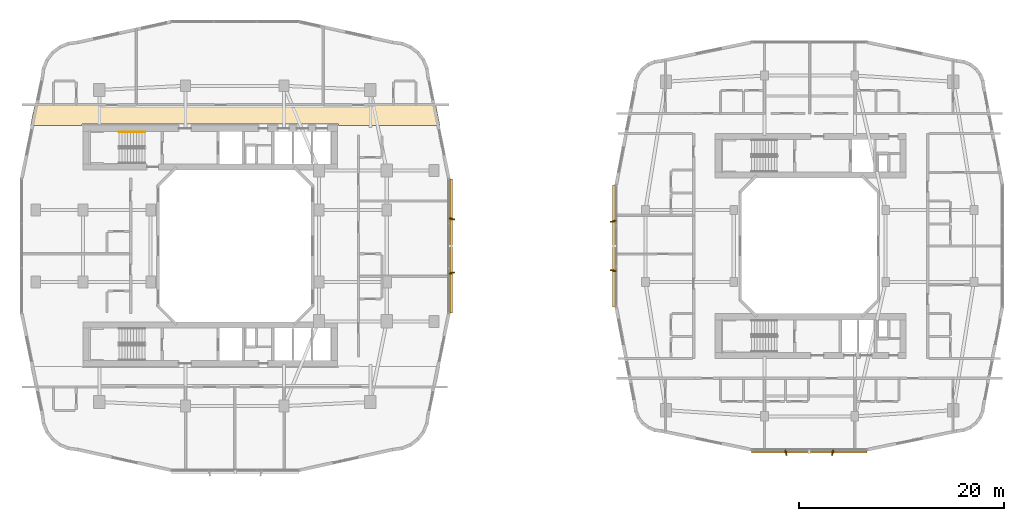
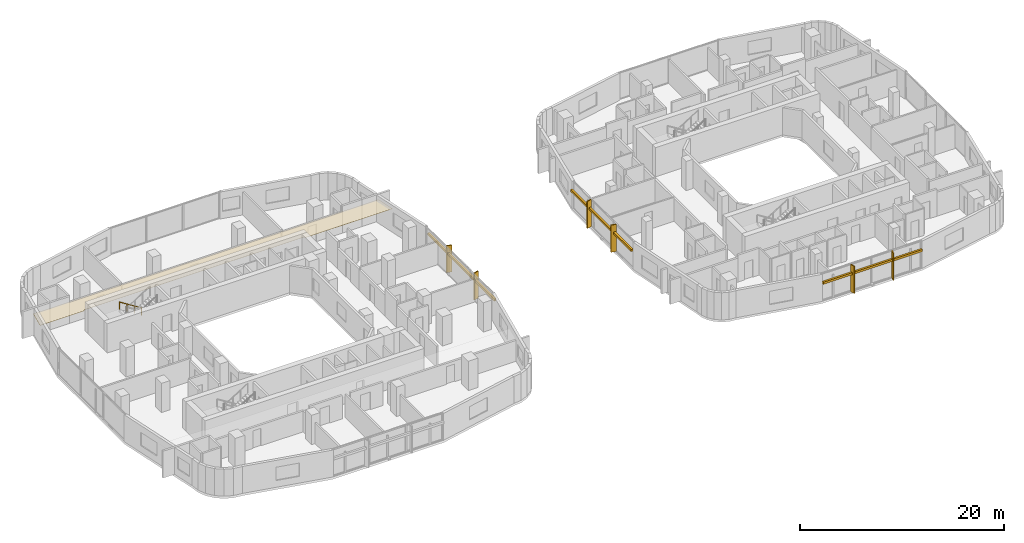
# One storey, part 25 of 26: 9 shading devices, 1 covering, 1 railing.
"""IFC4 building model written with IfcOpenShell, lengths in metres."""

from ifc_helpers import new_model, si_unit, derived_unit, direction, frame, origin, origin_2d, place, context, subcontext, project, spatial, polyline, rectangle, circle, outline, extrude, material, layer, layer_set, type_object, element, save


model = new_model("IFC4")

# Units and contexts
model_context = context("Model", 3, precision=1e-05, world=origin(), true_north=direction((0.0, 1.0)))
body_context = subcontext(model_context, "Body", "Model", "MODEL_VIEW")
ifc_project = project(units=[si_unit("LENGTHUNIT", "METRE"), si_unit("AREAUNIT", "SQUARE_METRE"), si_unit("VOLUMEUNIT", "CUBIC_METRE"), si_unit("PLANEANGLEUNIT", "RADIAN"), si_unit("MASSUNIT", "GRAM", prefix="KILO"), derived_unit("THERMALTRANSMITTANCEUNIT", [(si_unit("POWERUNIT", "WATT"), 1), (si_unit("LENGTHUNIT", "METRE"), -2), (si_unit("THERMODYNAMICTEMPERATUREUNIT", "KELVIN"), -1)])], contexts=[model_context])

# Site, building, storey
site_placement = place(None, origin())
site = spatial("IfcSite", under=ifc_project, at=site_placement, CompositionType="ELEMENT")
building_placement = place(site_placement, origin())
building = spatial("IfcBuilding", under=site, at=building_placement, Name="Kivonza Crest Hotel", CompositionType="ELEMENT")
storey_placement = place(building_placement, frame((0.0, 0.0, 55.5)))
storey = spatial("IfcBuildingStorey", under=building, at=storey_placement, Name="L14", CompositionType="ELEMENT", Elevation=55.5)

# Covering
ifc_material_1 = material(Name="Mineral-fibre acoustic ceiling tile", Category="gypsum")
ifc_layer = layer(ifc_material_1, 0.02490234375)
ifc_layer_set = layer_set([ifc_layer], Name="Mineral-fibre acoustic ceiling tile")
covering_type = type_object("IfcCoveringType", Name="CV-CEIL-ACOU", PredefinedType="CEILING", material=ifc_layer_set)
covering_placement = place(storey_placement, frame((0.0, 0.0, 2.449951171875)))
element("IfcCovering", 1, at=covering_placement, inside=storey, type_object=covering_type, Name="L14 Hotel North Guest Corridor suspended ceiling", PredefinedType="CEILING", context=body_context, shape_type="SweptSolid", body=[
    extrude(outline(polyline([(1.506103515625, 38.7900390625), (1.083984375, 36.719970703125), (6.10009765625, 36.719970703125), (6.10009765625, 36.860107421875), (31.10009765625, 36.860107421875), (31.10009765625, 36.719970703125), (40.99609375, 36.719970703125), (40.573974609375, 38.7900390625), (1.506103515625, 38.7900390625)])), origin(), (0.0, 0.0, 1.0), 0.025146484375),
])

# Railing
ifc_material_2 = material(Name="Brushed stainless steel handrail", Category="steel")
railing_type = type_object("IfcRailingType", Name="RL-HAND-900", PredefinedType="HANDRAIL", material=ifc_material_2)
railing_placement = place(storey_placement, frame((12.239990234375, 36.110107421875, 0.175048828125)))
element("IfcRailing", 2, at=railing_placement, inside=storey, type_object=railing_type, Name="L14 ST-T1-N stair handrail 1", PredefinedType="HANDRAIL", context=body_context, shape_type="SweptSolid", body=[
    extrude(circle(Radius=0.02392578125, at=origin_2d()), frame((0.0, 0.0, 0.8759765625), z_axis=(-0.848007534815, 0.0, 0.529984170421), x_axis=(0.0, -1.0, 0.0)), (0.0, 0.0, 1.0), 2.9716796875),
    extrude(circle(Radius=0.02099609375, at=origin_2d()), origin(), (0.0, 0.0, 1.0), 0.851806640625),
    extrude(circle(Radius=0.02099609375, at=origin_2d()), frame((-0.840087890625, 0.0, 0.52490234375)), (0.0, 0.0, 1.0), 0.851806640625),
    extrude(circle(Radius=0.02099609375, at=origin_2d()), frame((-1.679931640625, 0.0, 1.050048828125)), (0.0, 0.0, 1.0), 0.851806640625),
    extrude(circle(Radius=0.02099609375, at=origin_2d()), frame((-2.52001953125, 0.0, 1.574951171875)), (0.0, 0.0, 1.0), 0.851806640625),
])

# Shading devices
ifc_material_3 = material(Name="Kiln-fired Nairobi red-ochre terracotta", Category="masonry")
shading_device_type_1 = type_object("IfcShadingDeviceType", Name="SH-BAGUETTE-300", PredefinedType="USERDEFINED", material=ifc_material_3)
shading_device_1_placement = place(storey_placement, frame((42.080078125, 25.0, 2.1240234375), z_axis=(0.0, 0.0, 1.0), x_axis=(0.0, 1.0, 0.0)))
element("IfcShadingDevice", 3, at=shading_device_1_placement, inside=storey, type_object=shading_device_type_1, Name="L14 terracotta baguette screen CW-T1-L14-17", ObjectType="BAGUETTE", PredefinedType="USERDEFINED", context=body_context, shape_type="SweptSolid", body=[
    extrude(rectangle(XDim=13.080078125, YDim=0.219970703125, at=origin_2d()), origin(), (0.0, 0.0, 1.0), 0.260009765625),
])
shading_device_2_placement = place(storey_placement, frame((76.9599609375, 4.919921875, 2.14501953125), z_axis=(0.0, 0.0, 1.0), x_axis=(1.0, 0.0, 0.0)))
element("IfcShadingDevice", 4, at=shading_device_2_placement, inside=storey, type_object=shading_device_type_1, Name="L14 terracotta baguette screen CW-T2-L14-08", ObjectType="BAGUETTE", PredefinedType="USERDEFINED", context=body_context, shape_type="SweptSolid", body=[
    extrude(rectangle(XDim=11.256103515625, YDim=0.219970703125, at=origin_2d()), origin(), (0.0, 0.0, 1.0), 0.260009765625),
])
shading_device_3_placement = place(storey_placement, frame((57.919921875, 25.0, 2.14501953125), z_axis=(0.0, 0.0, 1.0), x_axis=(0.0, -1.0, 0.0)))
element("IfcShadingDevice", 5, at=shading_device_3_placement, inside=storey, type_object=shading_device_type_1, Name="L14 terracotta baguette screen CW-T2-L14-35", ObjectType="BAGUETTE", PredefinedType="USERDEFINED", context=body_context, shape_type="SweptSolid", body=[
    extrude(rectangle(XDim=11.8798828125, YDim=0.219970703125, at=origin_2d()), origin(), (0.0, 0.0, 1.0), 0.260009765625),
])
ifc_material_4 = material(Name="Kiln-fired terracotta over extruded aluminium spine", Category="masonry")
shading_device_type_2 = type_object("IfcShadingDeviceType", Name="SH-FIN-550", PredefinedType="USERDEFINED", material=ifc_material_4)
for number, where, z_axis, x_axis, name in (
    (6, (42.139892578125, 22.360107421875, 0.0), (0.0, 0.0, 1.0), (-0.2419218956, 0.970295726276, 0.0), "L14 vertical solar shading fin CW-T1-L14-17-1"),
    (7, (42.139892578125, 27.639892578125, 0.0), (0.0, 0.0, 1.0), (0.2419218956, 0.970295726276, 0.0), "L14 vertical solar shading fin CW-T1-L14-17-2"),
):
    element("IfcShadingDevice", number, at=place(storey_placement, frame(where, z_axis=z_axis, x_axis=x_axis)), inside=storey, type_object=shading_device_type_2, Name=name, ObjectType="FIN", PredefinedType="USERDEFINED", context=body_context, shape_type="SweptSolid", body=[
        extrude(rectangle(XDim=0.1201171875, YDim=0.550048828125, at=origin_2d()), origin(), (0.0, 0.0, 1.0), 3.219970703125),
    ])
for number, where, z_axis, x_axis, name in (
    (8, (74.68505859375, 4.860107421875, 0.0), (0.0, 0.0, 1.0), (0.970295726276, 0.2419218956, 0.0), "L14 vertical solar shading fin CW-T2-L14-08-1"),
    (9, (79.235107421875, 4.860107421875, 0.0), (0.0, 0.0, 1.0), (0.970295726276, -0.2419218956, 0.0), "L14 vertical solar shading fin CW-T2-L14-08-2"),
    (10, (57.860107421875, 27.39990234375, 0.0), (0.0, 0.0, 1.0), (0.2419218956, -0.970295726276, 0.0), "L14 vertical solar shading fin CW-T2-L14-35-1"),
    (11, (57.860107421875, 22.60009765625, 0.0), (0.0, 0.0, 1.0), (-0.2419218956, -0.970295726276, 0.0), "L14 vertical solar shading fin CW-T2-L14-35-2"),
):
    element("IfcShadingDevice", number, at=place(storey_placement, frame(where, z_axis=z_axis, x_axis=x_axis)), inside=storey, type_object=shading_device_type_2, Name=name, ObjectType="FIN", PredefinedType="USERDEFINED", context=body_context, shape_type="SweptSolid", body=[
        extrude(rectangle(XDim=0.1201171875, YDim=0.550048828125, at=origin_2d()), origin(), (0.0, 0.0, 1.0), 3.25),
    ])

save(model, "model.ifc")
